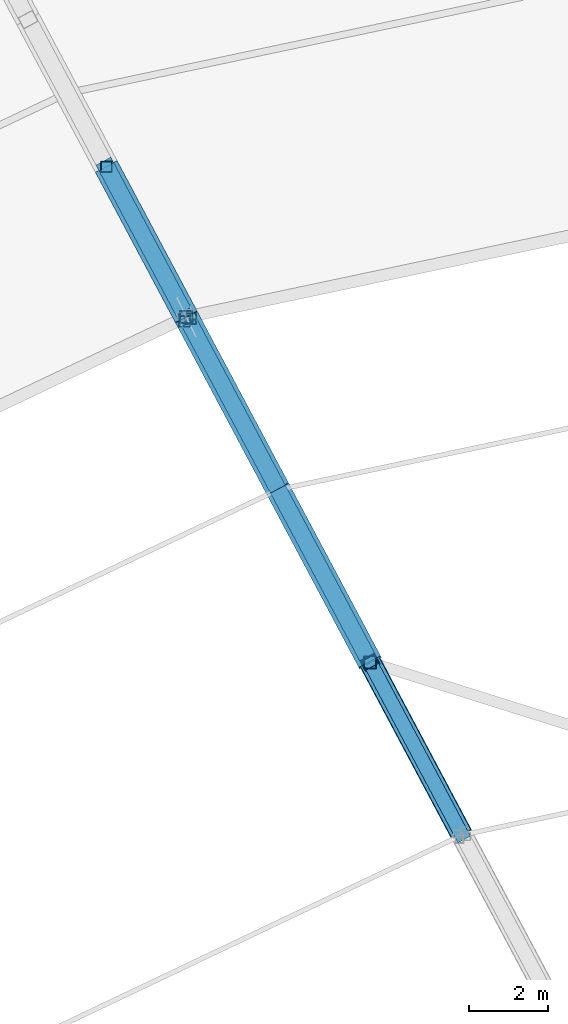
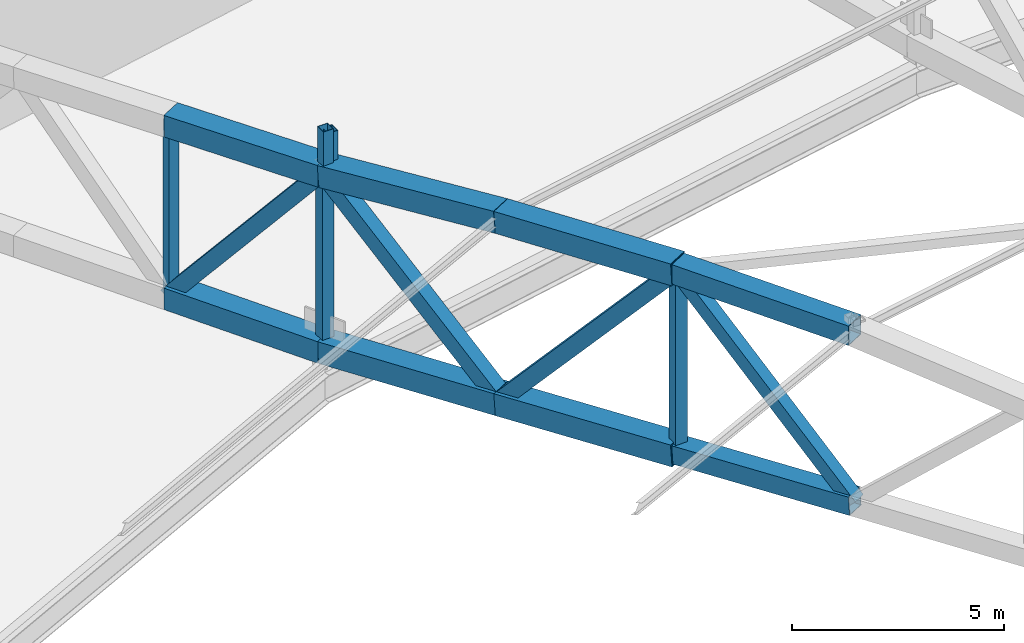
# One storey, part 71 of 162: 17 members.
"""IFC4 building model written with IfcOpenShell, lengths in metres."""

from ifc_helpers import new_model, si_unit, direction, frame, origin, origin_2d, place, context, subcontext, project, spatial, hollow_rectangle, extrude, material, material_profile, profile_set, type_object, element, save


model = new_model("IFC4")

# Units and contexts
model_context = context("Model", 3, precision=1e-05, world=origin(), true_north=direction((0.0, 1.0)))
body_context = subcontext(model_context, "Body", "Model", "MODEL_VIEW")
ifc_project = project(units=[si_unit("LENGTHUNIT", "METRE"), si_unit("AREAUNIT", "SQUARE_METRE"), si_unit("VOLUMEUNIT", "CUBIC_METRE"), si_unit("PLANEANGLEUNIT", "RADIAN"), si_unit("MASSUNIT", "GRAM", prefix="KILO")], contexts=[model_context])

# Site, building, storey
site_placement = place(None, origin())
site = spatial("IfcSite", under=ifc_project, at=site_placement, CompositionType="ELEMENT")
building_placement = place(site_placement, origin())
building = spatial("IfcBuilding", under=site, at=building_placement, Name="Kazemori Nagisa Stadium", CompositionType="ELEMENT")
storey_placement = place(building_placement, frame((0.0, 0.0, 36.719970703125)))
storey = spatial("IfcBuildingStorey", under=building, at=storey_placement, Name="RF", CompositionType="ELEMENT", Elevation=36.719970703125)

# Members
ifc_material = material(Name="Steel STKR490", Category="steel")
ifc_material_profile_1 = material_profile(ifc_material, hollow_rectangle(XDim=0.280029296875, YDim=0.280029296875, WallThickness=0.010009765625, at=origin_2d()), Name="SHS-280x280x10")
ifc_profile_set_1 = profile_set([ifc_material_profile_1], Name="Steel STKR490")
member_type_1 = type_object("IfcMemberType", Name="Member_ST-SHS280", PredefinedType="STUD", material=ifc_profile_set_1)
member_1_placement = place(storey_placement, frame((86.29931640625, 171.154296875, 5.56005859375), z_axis=(0.0, 0.0, 1.0), x_axis=(1.0, 0.0, 0.0)))
element("IfcMember", 1, at=member_1_placement, inside=storey, type_object=member_type_1, Name="Canopy bearing stool B09-mid-2", PredefinedType="STUD", context=body_context, shape_type="SweptSolid", body=[
    extrude(hollow_rectangle(XDim=0.280029296875, YDim=0.280029296875, WallThickness=0.010009765625, at=origin_2d()), origin(), (0.0, 0.0, 1.0), 1.175048828125),
])
member_2_placement = place(storey_placement, frame((86.141845703125, 171.08837890625, 5.56005859375), z_axis=(0.0, 0.0, 1.0), x_axis=(1.0, 0.0, 0.0)))
element("IfcMember", 2, at=member_2_placement, inside=storey, type_object=member_type_1, Name="Canopy bearing stool B10-mid-1", PredefinedType="STUD", context=body_context, shape_type="SweptSolid", body=[
    extrude(hollow_rectangle(XDim=0.280029296875, YDim=0.280029296875, WallThickness=0.010009765625, at=origin_2d()), origin(), (0.0, 0.0, 1.0), 1.31201171875),
])
ifc_material_profile_2 = material_profile(ifc_material, hollow_rectangle(XDim=0.360107421875, YDim=0.360107421875, WallThickness=0.013916015625, at=origin_2d()), Name="SHS-360x360x14")
ifc_profile_set_2 = profile_set([ifc_material_profile_2], Name="Steel STKR490")
member_type_2 = type_object("IfcMemberType", Name="Member_TB-SHS360", PredefinedType="BRACE", material=ifc_profile_set_2)
member_3_placement = place(storey_placement, frame((90.810791015625, 162.509033203125, 6.369140625), z_axis=(0.333542332826, -0.626959537105, -0.704039239706), x_axis=(0.88284131776, 0.469671382624, 0.0)))
element("IfcMember", 3, at=member_3_placement, inside=storey, type_object=member_type_2, Name="Roof space truss diagonal RT-10-6", PredefinedType="BRACE", context=body_context, shape_type="SweptSolid", body=[
    extrude(hollow_rectangle(XDim=0.360107421875, YDim=0.360107421875, WallThickness=0.013916015625, at=origin_2d()), origin(), (0.0, 0.0, 1.0), 6.93017578125),
])
ifc_material_profile_3 = material_profile(ifc_material, hollow_rectangle(XDim=0.419921875, YDim=0.419921875, WallThickness=0.01611328125, at=origin_2d()), Name="SHS-420x420x16")
ifc_profile_set_3 = profile_set([ifc_material_profile_3], Name="Steel STKR490")
member_type_3 = type_object("IfcMemberType", Name="Member_TB-SHS420", PredefinedType="BRACE", material=ifc_profile_set_3)
member_4_placement = place(storey_placement, frame((84.176025390625, 174.98095703125, 0.43994140625), z_axis=(0.301385485298, -0.566492072233, 0.766976871457), x_axis=(0.882833673063, 0.469685752079, 0.0)))
element("IfcMember", 4, at=member_4_placement, inside=storey, type_object=member_type_3, Name="Roof space truss diagonal RT-10-3", PredefinedType="BRACE", context=body_context, shape_type="SweptSolid", body=[
    extrude(hollow_rectangle(XDim=0.419921875, YDim=0.419921875, WallThickness=0.01611328125, at=origin_2d()), origin(), (0.0, 0.0, 1.0), 6.67578125),
])
member_5_placement = place(storey_placement, frame((86.18798828125, 171.19921875, 5.56005859375), z_axis=(0.337703469868, -0.634781226579, -0.694988604815), x_axis=(0.88284131776, 0.469671382624, 0.0)))
element("IfcMember", 5, at=member_5_placement, inside=storey, type_object=member_type_3, Name="Roof space truss diagonal RT-10-4", PredefinedType="BRACE", context=body_context, shape_type="SweptSolid", body=[
    extrude(hollow_rectangle(XDim=0.419921875, YDim=0.419921875, WallThickness=0.01611328125, at=origin_2d()), origin(), (0.0, 0.0, 1.0), 6.8447265625),
])
member_6_placement = place(storey_placement, frame((88.49951171875, 166.854248046875, 0.802978515625), z_axis=(0.311073465689, -0.584819429843, 0.749145869255), x_axis=(0.882872826789, 0.469612150309, 0.0)))
element("IfcMember", 6, at=member_6_placement, inside=storey, type_object=member_type_3, Name="Roof space truss diagonal RT-10-5", PredefinedType="BRACE", context=body_context, shape_type="SweptSolid", body=[
    extrude(hollow_rectangle(XDim=0.419921875, YDim=0.419921875, WallThickness=0.01611328125, at=origin_2d()), origin(), (0.0, 0.0, 1.0), 7.429931640625),
])
ifc_material_profile_4 = material_profile(ifc_material, hollow_rectangle(XDim=0.52001953125, YDim=0.52001953125, WallThickness=0.01904296875, at=origin_2d()), Name="SHS-520x520x19")
ifc_profile_set_4 = profile_set([ifc_material_profile_4], Name="Steel STKR490")
member_type_4 = type_object("IfcMemberType", Name="Member_TC-SHS520", PredefinedType="CHORD", material=ifc_profile_set_4)
member_7_placement = place(storey_placement, frame((90.810791015625, 162.509033203125, 1.14697265625), z_axis=(0.468534777178, -0.880704840456, 0.069528027243), x_axis=(0.88284131776, 0.469671382624, 0.0)))
element("IfcMember", 7, at=member_7_placement, inside=storey, type_object=member_type_4, Name="Roof space truss bottom chord RT-10-6", PredefinedType="CHORD", context=body_context, shape_type="SweptSolid", body=[
    extrude(hollow_rectangle(XDim=0.52001953125, YDim=0.52001953125, WallThickness=0.01904296875, at=origin_2d()), origin(), (0.0, 0.0, 1.0), 4.93359375),
])
ifc_material_profile_5 = material_profile(ifc_material, hollow_rectangle(XDim=0.56005859375, YDim=0.56005859375, WallThickness=0.02001953125, at=origin_2d()), Name="SHS-560x560x20")
ifc_profile_set_5 = profile_set([ifc_material_profile_5], Name="Steel STKR490")
member_type_5 = type_object("IfcMemberType", Name="Member_TC-SHS560", PredefinedType="CHORD", material=ifc_profile_set_5)
member_8_placement = place(storey_placement, frame((90.810791015625, 162.509033203125, 6.369140625), z_axis=(0.469646383327, -0.88279432658, 0.010317537783), x_axis=(0.88284131776, 0.469671382624, 0.0)))
element("IfcMember", 8, at=member_8_placement, inside=storey, type_object=member_type_5, Name="Roof space truss top chord RT-10-6", PredefinedType="CHORD", context=body_context, shape_type="SweptSolid", body=[
    extrude(hollow_rectangle(XDim=0.56005859375, YDim=0.56005859375, WallThickness=0.02001953125, at=origin_2d()), origin(), (0.0, 0.0, 1.0), 4.921875),
])
ifc_material_profile_6 = material_profile(ifc_material, hollow_rectangle(XDim=0.6201171875, YDim=0.6201171875, WallThickness=0.02197265625, at=origin_2d()), Name="SHS-620x620x22")
ifc_profile_set_6 = profile_set([ifc_material_profile_6], Name="Steel STKR490")
member_type_6 = type_object("IfcMemberType", Name="Member_TC-SHS620", PredefinedType="CHORD", material=ifc_profile_set_6)
member_9_placement = place(storey_placement, frame((84.176025390625, 174.98095703125, 5.419921875), z_axis=(0.46943461682, -0.882361632634, 0.032696938485), x_axis=(0.882833673063, 0.469685752079, 0.0)))
element("IfcMember", 9, at=member_9_placement, inside=storey, type_object=member_type_6, Name="Roof space truss top chord RT-10-3", PredefinedType="CHORD", context=body_context, shape_type="SweptSolid", body=[
    extrude(hollow_rectangle(XDim=0.6201171875, YDim=0.6201171875, WallThickness=0.02197265625, at=origin_2d()), origin(), (0.0, 0.0, 1.0), 4.285888671875),
])
member_10_placement = place(storey_placement, frame((84.176025390625, 174.98095703125, 0.43994140625), z_axis=(0.469665236132, -0.88279511075, 0.009346571863), x_axis=(0.882833673063, 0.469685752079, 0.0)))
element("IfcMember", 10, at=member_10_placement, inside=storey, type_object=member_type_6, Name="Roof space truss bottom chord RT-10-3", PredefinedType="CHORD", context=body_context, shape_type="SweptSolid", body=[
    extrude(hollow_rectangle(XDim=0.6201171875, YDim=0.6201171875, WallThickness=0.02197265625, at=origin_2d()), origin(), (0.0, 0.0, 1.0), 4.283935546875),
])
member_11_placement = place(storey_placement, frame((86.18798828125, 171.19921875, 5.56005859375), z_axis=(0.467266191089, -0.878320279132, 0.101073210747), x_axis=(0.88284131776, 0.469671382624, 0.0)))
element("IfcMember", 11, at=member_11_placement, inside=storey, type_object=member_type_6, Name="Roof space truss top chord RT-10-4", PredefinedType="CHORD", context=body_context, shape_type="SweptSolid", body=[
    extrude(hollow_rectangle(XDim=0.6201171875, YDim=0.6201171875, WallThickness=0.02197265625, at=origin_2d()), origin(), (0.0, 0.0, 1.0), 4.947021484375),
])
member_12_placement = place(storey_placement, frame((86.18798828125, 171.19921875, 0.47998046875), z_axis=(0.468663162595, -0.88094616653, 0.065488103519), x_axis=(0.88284131776, 0.469671382624, 0.0)))
element("IfcMember", 12, at=member_12_placement, inside=storey, type_object=member_type_6, Name="Roof space truss bottom chord RT-10-4", PredefinedType="CHORD", context=body_context, shape_type="SweptSolid", body=[
    extrude(hollow_rectangle(XDim=0.6201171875, YDim=0.6201171875, WallThickness=0.02197265625, at=origin_2d()), origin(), (0.0, 0.0, 1.0), 4.93212890625),
])
member_13_placement = place(storey_placement, frame((88.49951171875, 166.854248046875, 6.06005859375), z_axis=(0.468688838574, -0.881136996825, 0.06267667367), x_axis=(0.882872826789, 0.469612150309, 0.0)))
element("IfcMember", 13, at=member_13_placement, inside=storey, type_object=member_type_6, Name="Roof space truss top chord RT-10-5", PredefinedType="CHORD", context=body_context, shape_type="SweptSolid", body=[
    extrude(hollow_rectangle(XDim=0.6201171875, YDim=0.6201171875, WallThickness=0.02197265625, at=origin_2d()), origin(), (0.0, 0.0, 1.0), 4.931396484375),
])
member_14_placement = place(storey_placement, frame((88.49951171875, 166.854248046875, 0.802978515625), z_axis=(0.468469278357, -0.880724222688, 0.069723588592), x_axis=(0.882872826789, 0.469612150309, 0.0)))
element("IfcMember", 14, at=member_14_placement, inside=storey, type_object=member_type_6, Name="Roof space truss bottom chord RT-10-5", PredefinedType="CHORD", context=body_context, shape_type="SweptSolid", body=[
    extrude(hollow_rectangle(XDim=0.6201171875, YDim=0.6201171875, WallThickness=0.02197265625, at=origin_2d()), origin(), (0.0, 0.0, 1.0), 4.93359375),
])
ifc_material_profile_7 = material_profile(ifc_material, hollow_rectangle(XDim=0.280029296875, YDim=0.280029296875, WallThickness=0.010009765625, at=origin_2d()), Name="SHS-280x280x10")
ifc_profile_set_7 = profile_set([ifc_material_profile_7], Name="Steel STKR490")
member_type_7 = type_object("IfcMemberType", Name="Member_TS-SHS280", PredefinedType="STRUT", material=ifc_profile_set_7)
member_15_placement = place(storey_placement, frame((84.176025390625, 174.98095703125, 0.43994140625), z_axis=(0.0, 0.0, 1.0), x_axis=(1.0, 0.0, 0.0)))
element("IfcMember", 15, at=member_15_placement, inside=storey, type_object=member_type_7, Name="Roof space truss strut RT-10-3", PredefinedType="STRUT", context=body_context, shape_type="SweptSolid", body=[
    extrude(hollow_rectangle(XDim=0.280029296875, YDim=0.280029296875, WallThickness=0.010009765625, at=origin_2d()), origin(), (0.0, 0.0, 1.0), 4.97998046875),
])
ifc_material_profile_8 = material_profile(ifc_material, hollow_rectangle(XDim=0.320068359375, YDim=0.320068359375, WallThickness=0.011962890625, at=origin_2d()), Name="SHS-320x320x12")
ifc_profile_set_8 = profile_set([ifc_material_profile_8], Name="Steel STKR490")
member_type_8 = type_object("IfcMemberType", Name="Member_TS-SHS320", PredefinedType="STRUT", material=ifc_profile_set_8)
member_16_placement = place(storey_placement, frame((86.18798828125, 171.19921875, 0.47998046875), z_axis=(0.0, 0.0, 1.0), x_axis=(1.0, 0.0, 0.0)))
element("IfcMember", 16, at=member_16_placement, inside=storey, type_object=member_type_8, Name="Roof space truss strut RT-10-4", PredefinedType="STRUT", context=body_context, shape_type="SweptSolid", body=[
    extrude(hollow_rectangle(XDim=0.320068359375, YDim=0.320068359375, WallThickness=0.011962890625, at=origin_2d()), origin(), (0.0, 0.0, 1.0), 5.080078125),
])
member_17_placement = place(storey_placement, frame((90.810791015625, 162.509033203125, 1.14697265625), z_axis=(0.0, 0.0, 1.0), x_axis=(1.0, 0.0, 0.0)))
element("IfcMember", 17, at=member_17_placement, inside=storey, type_object=member_type_8, Name="Roof space truss strut RT-10-6", PredefinedType="STRUT", context=body_context, shape_type="SweptSolid", body=[
    extrude(hollow_rectangle(XDim=0.320068359375, YDim=0.320068359375, WallThickness=0.011962890625, at=origin_2d()), origin(), (0.0, 0.0, 1.0), 5.22216796875),
])

save(model, "model.ifc")
